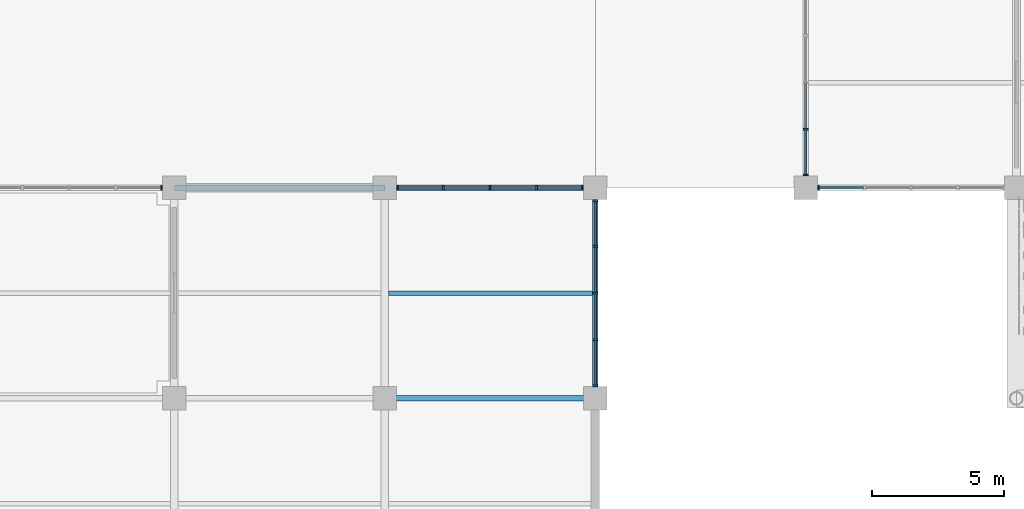
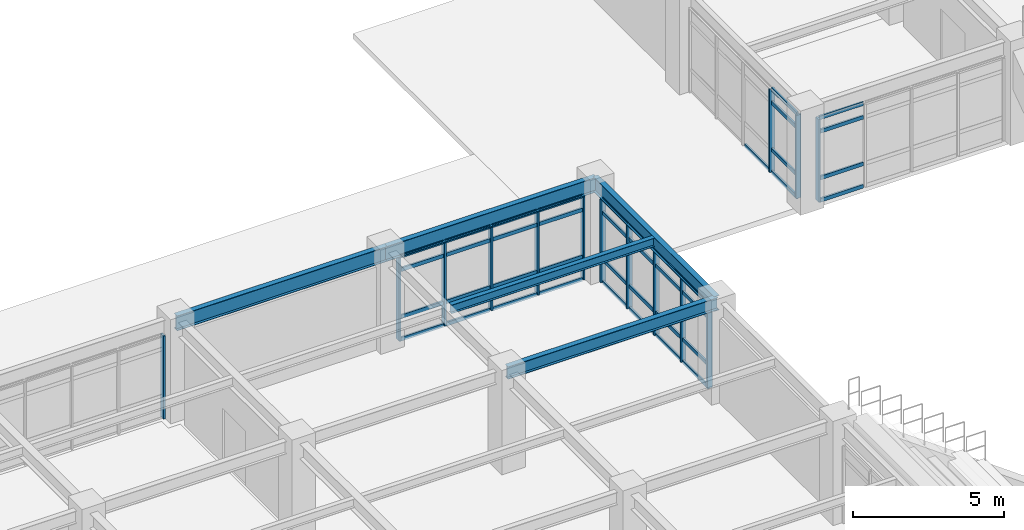
# One storey, part 52 of 118: 55 members, 5 beams, 5 elements without a shape of their own.
"""IFC4 building model written with IfcOpenShell, lengths in metres."""

from ifc_helpers import new_model, si_unit, direction, frame, origin, origin_2d, place, context, subcontext, project, spatial, rectangle, i_section, extrude, material, layer, layer_set, material_profile, profile_set, type_object, element, aggregate, save


model = new_model("IFC4")

# Units and contexts
model_context = context("Model", 3, precision=1e-05, world=origin(), true_north=direction((0.0, 1.0)))
body_context = subcontext(model_context, "Body", "Model", "MODEL_VIEW")
ifc_project = project(units=[si_unit("LENGTHUNIT", "METRE"), si_unit("AREAUNIT", "SQUARE_METRE"), si_unit("VOLUMEUNIT", "CUBIC_METRE"), si_unit("PLANEANGLEUNIT", "RADIAN"), si_unit("MASSUNIT", "GRAM", prefix="KILO")], contexts=[model_context])

# Site, building, storey
site_placement = place(None, origin())
site = spatial("IfcSite", under=ifc_project, at=site_placement, CompositionType="ELEMENT")
building_placement = place(site_placement, origin())
building = spatial("IfcBuilding", under=site, at=building_placement, Name="Haebicheon Civic Stadium", CompositionType="ELEMENT")
storey_placement = place(building_placement, frame((0.0, 0.0, 14.39990234375)))
storey = spatial("IfcBuildingStorey", under=building, at=storey_placement, Name="L04", CompositionType="ELEMENT", Elevation=14.39990234375)

# Beam
ifc_material_1 = material(Name="Steel SM355 (S355)", Category="steel")
ifc_material_profile_1 = material_profile(ifc_material_1, i_section(OverallWidth=0.199951171875, OverallDepth=0.5, WebThickness=0.010009765625, FlangeThickness=0.01611328125, at=origin_2d()), Name="H-500x200x10x16")
ifc_profile_set_1 = profile_set([ifc_material_profile_1], Name="Steel SM355 (S355)")
beam_type_1 = type_object("IfcBeamType", Name="BM-ST-H500", PredefinedType="BEAM", material=ifc_profile_set_1)
beam_1_placement = place(storey_placement, frame((56.0, 144.0, 3.72998046875), z_axis=(1.0, 0.0, 0.0), x_axis=(0.0, 1.0, 0.0)))
element("IfcBeam", 1, at=beam_1_placement, inside=storey, type_object=beam_type_1, material=ifc_profile_set_1, Name="L04 beam U/8-9", PredefinedType="BEAM", context=body_context, shape_type="SweptSolid", body=[
    extrude(i_section(OverallWidth=0.199951171875, OverallDepth=0.5, WebThickness=0.010009765625, FlangeThickness=0.01611328125, at=origin_2d()), origin(), (0.0, 0.0, 1.0), 8.0),
])

# Curtain wall, member
ifc_material_2 = material(Name="Anodised aluminium and laminated glass", Category="aluminium")
ifc_layer_1 = layer(ifc_material_2, 0.179931640625, Name="Anodised aluminium and laminated glass")
ifc_layer_set_1 = layer_set([ifc_layer_1], Name="Anodised aluminium and laminated glass")
curtain_wall_type_1 = type_object("IfcCurtainWallType", Name="CW-7100x3350", PredefinedType="NOTDEFINED", material=ifc_layer_set_1)
curtain_wall_1_placement = place(storey_placement, origin())
curtain_wall_1 = element("IfcCurtainWall", 2, at=curtain_wall_1_placement, inside=storey, type_object=curtain_wall_type_1, material=ifc_layer_set_1, Name="L04 unitised curtain wall 114", PredefinedType="NOTDEFINED")
ifc_material_3 = material(Name="Anodised aluminium 6063-T6", Category="aluminium")
ifc_material_profile_2 = material_profile(ifc_material_3, rectangle(XDim=0.070068359375, YDim=0.199951171875, at=origin_2d()), Name="ALU-MULL-70x200")
ifc_profile_set_2 = profile_set([ifc_material_profile_2], Name="Anodised aluminium 6063-T6")
member_type_1 = type_object("IfcMemberType", Name="CWM-200x70", PredefinedType="MULLION", material=ifc_profile_set_2)
member_1_placement = place(storey_placement, frame((47.514892578125, 152.0, 0.0), z_axis=(0.0, 0.0, 1.0), x_axis=(1.0, 0.0, 0.0)))
member_1 = element("IfcMember", 3, at=member_1_placement, type_object=member_type_1, material=ifc_profile_set_2, Name="CW-L04-114 vertical mullion 5", PredefinedType="MULLION", context=body_context, shape_type="SweptSolid", body=[
    extrude(rectangle(XDim=0.070068359375, YDim=0.199951171875, at=origin_2d()), origin(), (0.0, 0.0, 1.0), 3.35009765625),
])
aggregate(curtain_wall_1, [member_1])

# Curtain wall, members
curtain_wall_2_placement = place(storey_placement, origin())
curtain_wall_2 = element("IfcCurtainWall", 4, at=curtain_wall_2_placement, inside=storey, type_object=curtain_wall_type_1, material=ifc_layer_set_1, Name="L04 unitised curtain wall 123", PredefinedType="NOTDEFINED")
member_2_placement = place(storey_placement, frame((56.485107421875, 152.0, 0.0), z_axis=(0.0, 0.0, 1.0), x_axis=(1.0, 0.0, 0.0)))
member_2 = element("IfcMember", 5, at=member_2_placement, type_object=member_type_1, material=ifc_profile_set_2, Name="CW-L04-123 vertical mullion 1", PredefinedType="MULLION", context=body_context, shape_type="SweptSolid", body=[
    extrude(rectangle(XDim=0.070068359375, YDim=0.199951171875, at=origin_2d()), origin(), (0.0, 0.0, 1.0), 3.35009765625),
])
member_3_placement = place(storey_placement, frame((58.22509765625, 152.0, 0.0), z_axis=(0.0, 0.0, 1.0), x_axis=(1.0, 0.0, 0.0)))
member_3 = element("IfcMember", 6, at=member_3_placement, type_object=member_type_1, material=ifc_profile_set_2, Name="CW-L04-123 vertical mullion 2", PredefinedType="MULLION", context=body_context, shape_type="SweptSolid", body=[
    extrude(rectangle(XDim=0.070068359375, YDim=0.199951171875, at=origin_2d()), origin(), (0.0, 0.0, 1.0), 3.35009765625),
])
member_4_placement = place(storey_placement, frame((60.0, 152.0, 0.0), z_axis=(0.0, 0.0, 1.0), x_axis=(1.0, 0.0, 0.0)))
member_4 = element("IfcMember", 7, at=member_4_placement, type_object=member_type_1, material=ifc_profile_set_2, Name="CW-L04-123 vertical mullion 3", PredefinedType="MULLION", context=body_context, shape_type="SweptSolid", body=[
    extrude(rectangle(XDim=0.070068359375, YDim=0.199951171875, at=origin_2d()), origin(), (0.0, 0.0, 1.0), 3.35009765625),
])
member_5_placement = place(storey_placement, frame((61.77490234375, 152.0, 0.0), z_axis=(0.0, 0.0, 1.0), x_axis=(1.0, 0.0, 0.0)))
member_5 = element("IfcMember", 8, at=member_5_placement, type_object=member_type_1, material=ifc_profile_set_2, Name="CW-L04-123 vertical mullion 4", PredefinedType="MULLION", context=body_context, shape_type="SweptSolid", body=[
    extrude(rectangle(XDim=0.070068359375, YDim=0.199951171875, at=origin_2d()), origin(), (0.0, 0.0, 1.0), 3.35009765625),
])
member_6_placement = place(storey_placement, frame((63.514892578125, 152.0, 0.0), z_axis=(0.0, 0.0, 1.0), x_axis=(1.0, 0.0, 0.0)))
member_6 = element("IfcMember", 9, at=member_6_placement, type_object=member_type_1, material=ifc_profile_set_2, Name="CW-L04-123 vertical mullion 5", PredefinedType="MULLION", context=body_context, shape_type="SweptSolid", body=[
    extrude(rectangle(XDim=0.070068359375, YDim=0.199951171875, at=origin_2d()), origin(), (0.0, 0.0, 1.0), 3.35009765625),
])

curtain_wall_3_placement = place(storey_placement, origin())
curtain_wall_3 = element("IfcCurtainWall", 10, at=curtain_wall_3_placement, inside=storey, type_object=curtain_wall_type_1, material=ifc_layer_set_1, Name="L04 unitised curtain wall 124", PredefinedType="NOTDEFINED")
member_7_placement = place(storey_placement, frame((64.0, 144.485107421875, 0.0), z_axis=(0.0, 0.0, 1.0), x_axis=(0.0, 1.0, 0.0)))
member_7 = element("IfcMember", 11, at=member_7_placement, type_object=member_type_1, material=ifc_profile_set_2, Name="CW-L04-124 vertical mullion 1", PredefinedType="MULLION", context=body_context, shape_type="SweptSolid", body=[
    extrude(rectangle(XDim=0.070068359375, YDim=0.199951171875, at=origin_2d()), origin(), (0.0, 0.0, 1.0), 3.35009765625),
])
member_8_placement = place(storey_placement, frame((64.0, 146.22509765625, 0.0), z_axis=(0.0, 0.0, 1.0), x_axis=(0.0, 1.0, 0.0)))
member_8 = element("IfcMember", 12, at=member_8_placement, type_object=member_type_1, material=ifc_profile_set_2, Name="CW-L04-124 vertical mullion 2", PredefinedType="MULLION", context=body_context, shape_type="SweptSolid", body=[
    extrude(rectangle(XDim=0.070068359375, YDim=0.199951171875, at=origin_2d()), origin(), (0.0, 0.0, 1.0), 3.35009765625),
])
member_9_placement = place(storey_placement, frame((64.0, 148.0, 0.0), z_axis=(0.0, 0.0, 1.0), x_axis=(0.0, 1.0, 0.0)))
member_9 = element("IfcMember", 13, at=member_9_placement, type_object=member_type_1, material=ifc_profile_set_2, Name="CW-L04-124 vertical mullion 3", PredefinedType="MULLION", context=body_context, shape_type="SweptSolid", body=[
    extrude(rectangle(XDim=0.070068359375, YDim=0.199951171875, at=origin_2d()), origin(), (0.0, 0.0, 1.0), 3.35009765625),
])
member_10_placement = place(storey_placement, frame((64.0, 149.77490234375, 0.0), z_axis=(0.0, 0.0, 1.0), x_axis=(0.0, 1.0, 0.0)))
member_10 = element("IfcMember", 14, at=member_10_placement, type_object=member_type_1, material=ifc_profile_set_2, Name="CW-L04-124 vertical mullion 4", PredefinedType="MULLION", context=body_context, shape_type="SweptSolid", body=[
    extrude(rectangle(XDim=0.070068359375, YDim=0.199951171875, at=origin_2d()), origin(), (0.0, 0.0, 1.0), 3.35009765625),
])
member_11_placement = place(storey_placement, frame((64.0, 151.514892578125, 0.0), z_axis=(0.0, 0.0, 1.0), x_axis=(0.0, 1.0, 0.0)))
member_11 = element("IfcMember", 15, at=member_11_placement, type_object=member_type_1, material=ifc_profile_set_2, Name="CW-L04-124 vertical mullion 5", PredefinedType="MULLION", context=body_context, shape_type="SweptSolid", body=[
    extrude(rectangle(XDim=0.070068359375, YDim=0.199951171875, at=origin_2d()), origin(), (0.0, 0.0, 1.0), 3.35009765625),
])

# Curtain wall, member
ifc_material_4 = material(Name="Anodised aluminium and laminated glass", Category="aluminium")
ifc_layer_2 = layer(ifc_material_4, 0.179931640625, Name="Anodised aluminium and laminated glass")
ifc_layer_set_2 = layer_set([ifc_layer_2], Name="Anodised aluminium and laminated glass")
curtain_wall_type_2 = type_object("IfcCurtainWallType", Name="CW-7100x3330", PredefinedType="NOTDEFINED", material=ifc_layer_set_2)
curtain_wall_4_placement = place(storey_placement, origin())
curtain_wall_4 = element("IfcCurtainWall", 16, at=curtain_wall_4_placement, inside=storey, type_object=curtain_wall_type_2, material=ifc_layer_set_2, Name="L04 unitised curtain wall 126", PredefinedType="NOTDEFINED")
member_12_placement = place(storey_placement, frame((72.485107421875, 152.0, 0.0), z_axis=(0.0, 0.0, 1.0), x_axis=(1.0, 0.0, 0.0)))
member_12 = element("IfcMember", 17, at=member_12_placement, type_object=member_type_1, material=ifc_profile_set_2, Name="CW-L04-126 vertical mullion 1", PredefinedType="MULLION", context=body_context, shape_type="SweptSolid", body=[
    extrude(rectangle(XDim=0.070068359375, YDim=0.199951171875, at=origin_2d()), origin(), (0.0, 0.0, 1.0), 3.330078125),
])

# Curtain wall, members
curtain_wall_5_placement = place(storey_placement, origin())
curtain_wall_5 = element("IfcCurtainWall", 18, at=curtain_wall_5_placement, inside=storey, type_object=curtain_wall_type_1, material=ifc_layer_set_1, Name="L04 unitised curtain wall 127", PredefinedType="NOTDEFINED")
member_13_placement = place(storey_placement, frame((72.0, 152.485107421875, 0.0), z_axis=(0.0, 0.0, 1.0), x_axis=(0.0, 1.0, 0.0)))
member_13 = element("IfcMember", 19, at=member_13_placement, type_object=member_type_1, material=ifc_profile_set_2, Name="CW-L04-127 vertical mullion 1", PredefinedType="MULLION", context=body_context, shape_type="SweptSolid", body=[
    extrude(rectangle(XDim=0.070068359375, YDim=0.199951171875, at=origin_2d()), origin(), (0.0, 0.0, 1.0), 3.35009765625),
])
member_14_placement = place(storey_placement, frame((72.0, 154.22509765625, 0.0), z_axis=(0.0, 0.0, 1.0), x_axis=(0.0, 1.0, 0.0)))
member_14 = element("IfcMember", 20, at=member_14_placement, type_object=member_type_1, material=ifc_profile_set_2, Name="CW-L04-127 vertical mullion 2", PredefinedType="MULLION", context=body_context, shape_type="SweptSolid", body=[
    extrude(rectangle(XDim=0.070068359375, YDim=0.199951171875, at=origin_2d()), origin(), (0.0, 0.0, 1.0), 3.35009765625),
])

# Member
ifc_material_5 = material(Name="Anodised aluminium 6063-T6", Category="aluminium")
ifc_material_profile_3 = material_profile(ifc_material_5, rectangle(XDim=0.070068359375, YDim=0.14990234375, at=origin_2d()), Name="ALU-TRAN-70x150")
ifc_profile_set_3 = profile_set([ifc_material_profile_3], Name="Anodised aluminium 6063-T6")
member_type_2 = type_object("IfcMemberType", Name="CWT-150x70", PredefinedType="NOTDEFINED", material=ifc_profile_set_3)
member_15_placement = place(storey_placement, frame((56.52001953125, 152.0, 0.0), z_axis=(1.0, 0.0, 0.0), x_axis=(0.0, 1.0, 0.0)))
member_15 = element("IfcMember", 21, at=member_15_placement, type_object=member_type_2, material=ifc_profile_set_3, Name="CW-L04-123 horizontal transom 1.1", ObjectType="TRANSOM", PredefinedType="USERDEFINED", context=body_context, shape_type="SweptSolid", body=[
    extrude(rectangle(XDim=0.070068359375, YDim=0.14990234375, at=origin_2d()), origin(), (0.0, 0.0, 1.0), 1.669921875),
])

member_16_placement = place(storey_placement, frame((56.52001953125, 152.0, 0.900146484375), z_axis=(1.0, 0.0, 0.0), x_axis=(0.0, 1.0, 0.0)))
member_16 = element("IfcMember", 22, at=member_16_placement, type_object=member_type_2, material=ifc_profile_set_3, Name="CW-L04-123 horizontal transom 1.2", ObjectType="TRANSOM", PredefinedType="USERDEFINED", context=body_context, shape_type="SweptSolid", body=[
    extrude(rectangle(XDim=0.070068359375, YDim=0.14990234375, at=origin_2d()), origin(), (0.0, 0.0, 1.0), 1.669921875),
])

member_17_placement = place(storey_placement, frame((56.52001953125, 152.0, 2.800048828125), z_axis=(1.0, 0.0, 0.0), x_axis=(0.0, 1.0, 0.0)))
member_17 = element("IfcMember", 23, at=member_17_placement, type_object=member_type_2, material=ifc_profile_set_3, Name="CW-L04-123 horizontal transom 1.3", ObjectType="TRANSOM", PredefinedType="USERDEFINED", context=body_context, shape_type="SweptSolid", body=[
    extrude(rectangle(XDim=0.070068359375, YDim=0.14990234375, at=origin_2d()), origin(), (0.0, 0.0, 1.0), 1.669921875),
])

member_18_placement = place(storey_placement, frame((56.52001953125, 152.0, 3.35009765625), z_axis=(1.0, 0.0, 0.0), x_axis=(0.0, 1.0, 0.0)))
member_18 = element("IfcMember", 24, at=member_18_placement, type_object=member_type_2, material=ifc_profile_set_3, Name="CW-L04-123 horizontal transom 1.4", ObjectType="TRANSOM", PredefinedType="USERDEFINED", context=body_context, shape_type="SweptSolid", body=[
    extrude(rectangle(XDim=0.070068359375, YDim=0.14990234375, at=origin_2d()), origin(), (0.0, 0.0, 1.0), 1.669921875),
])

member_19_placement = place(storey_placement, frame((58.260009765625, 152.0, 0.0), z_axis=(1.0, 0.0, 0.0), x_axis=(0.0, 1.0, 0.0)))
member_19 = element("IfcMember", 25, at=member_19_placement, type_object=member_type_2, material=ifc_profile_set_3, Name="CW-L04-123 horizontal transom 2.1", ObjectType="TRANSOM", PredefinedType="USERDEFINED", context=body_context, shape_type="SweptSolid", body=[
    extrude(rectangle(XDim=0.070068359375, YDim=0.14990234375, at=origin_2d()), origin(), (0.0, 0.0, 1.0), 1.705078125),
])

member_20_placement = place(storey_placement, frame((58.260009765625, 152.0, 0.900146484375), z_axis=(1.0, 0.0, 0.0), x_axis=(0.0, 1.0, 0.0)))
member_20 = element("IfcMember", 26, at=member_20_placement, type_object=member_type_2, material=ifc_profile_set_3, Name="CW-L04-123 horizontal transom 2.2", ObjectType="TRANSOM", PredefinedType="USERDEFINED", context=body_context, shape_type="SweptSolid", body=[
    extrude(rectangle(XDim=0.070068359375, YDim=0.14990234375, at=origin_2d()), origin(), (0.0, 0.0, 1.0), 1.705078125),
])

member_21_placement = place(storey_placement, frame((58.260009765625, 152.0, 2.800048828125), z_axis=(1.0, 0.0, 0.0), x_axis=(0.0, 1.0, 0.0)))
member_21 = element("IfcMember", 27, at=member_21_placement, type_object=member_type_2, material=ifc_profile_set_3, Name="CW-L04-123 horizontal transom 2.3", ObjectType="TRANSOM", PredefinedType="USERDEFINED", context=body_context, shape_type="SweptSolid", body=[
    extrude(rectangle(XDim=0.070068359375, YDim=0.14990234375, at=origin_2d()), origin(), (0.0, 0.0, 1.0), 1.705078125),
])

member_22_placement = place(storey_placement, frame((58.260009765625, 152.0, 3.35009765625), z_axis=(1.0, 0.0, 0.0), x_axis=(0.0, 1.0, 0.0)))
member_22 = element("IfcMember", 28, at=member_22_placement, type_object=member_type_2, material=ifc_profile_set_3, Name="CW-L04-123 horizontal transom 2.4", ObjectType="TRANSOM", PredefinedType="USERDEFINED", context=body_context, shape_type="SweptSolid", body=[
    extrude(rectangle(XDim=0.070068359375, YDim=0.14990234375, at=origin_2d()), origin(), (0.0, 0.0, 1.0), 1.705078125),
])

member_23_placement = place(storey_placement, frame((60.034912109375, 152.0, 0.0), z_axis=(1.0, 0.0, 0.0), x_axis=(0.0, 1.0, 0.0)))
member_23 = element("IfcMember", 29, at=member_23_placement, type_object=member_type_2, material=ifc_profile_set_3, Name="CW-L04-123 horizontal transom 3.1", ObjectType="TRANSOM", PredefinedType="USERDEFINED", context=body_context, shape_type="SweptSolid", body=[
    extrude(rectangle(XDim=0.070068359375, YDim=0.14990234375, at=origin_2d()), origin(), (0.0, 0.0, 1.0), 1.705078125),
])

member_24_placement = place(storey_placement, frame((60.034912109375, 152.0, 0.900146484375), z_axis=(1.0, 0.0, 0.0), x_axis=(0.0, 1.0, 0.0)))
member_24 = element("IfcMember", 30, at=member_24_placement, type_object=member_type_2, material=ifc_profile_set_3, Name="CW-L04-123 horizontal transom 3.2", ObjectType="TRANSOM", PredefinedType="USERDEFINED", context=body_context, shape_type="SweptSolid", body=[
    extrude(rectangle(XDim=0.070068359375, YDim=0.14990234375, at=origin_2d()), origin(), (0.0, 0.0, 1.0), 1.705078125),
])

member_25_placement = place(storey_placement, frame((60.034912109375, 152.0, 2.800048828125), z_axis=(1.0, 0.0, 0.0), x_axis=(0.0, 1.0, 0.0)))
member_25 = element("IfcMember", 31, at=member_25_placement, type_object=member_type_2, material=ifc_profile_set_3, Name="CW-L04-123 horizontal transom 3.3", ObjectType="TRANSOM", PredefinedType="USERDEFINED", context=body_context, shape_type="SweptSolid", body=[
    extrude(rectangle(XDim=0.070068359375, YDim=0.14990234375, at=origin_2d()), origin(), (0.0, 0.0, 1.0), 1.705078125),
])

member_26_placement = place(storey_placement, frame((60.034912109375, 152.0, 3.35009765625), z_axis=(1.0, 0.0, 0.0), x_axis=(0.0, 1.0, 0.0)))
member_26 = element("IfcMember", 32, at=member_26_placement, type_object=member_type_2, material=ifc_profile_set_3, Name="CW-L04-123 horizontal transom 3.4", ObjectType="TRANSOM", PredefinedType="USERDEFINED", context=body_context, shape_type="SweptSolid", body=[
    extrude(rectangle(XDim=0.070068359375, YDim=0.14990234375, at=origin_2d()), origin(), (0.0, 0.0, 1.0), 1.705078125),
])

member_27_placement = place(storey_placement, frame((61.81005859375, 152.0, 0.0), z_axis=(1.0, 0.0, 0.0), x_axis=(0.0, 1.0, 0.0)))
member_27 = element("IfcMember", 33, at=member_27_placement, type_object=member_type_2, material=ifc_profile_set_3, Name="CW-L04-123 horizontal transom 4.1", ObjectType="TRANSOM", PredefinedType="USERDEFINED", context=body_context, shape_type="SweptSolid", body=[
    extrude(rectangle(XDim=0.070068359375, YDim=0.14990234375, at=origin_2d()), origin(), (0.0, 0.0, 1.0), 1.669921875),
])

member_28_placement = place(storey_placement, frame((61.81005859375, 152.0, 0.900146484375), z_axis=(1.0, 0.0, 0.0), x_axis=(0.0, 1.0, 0.0)))
member_28 = element("IfcMember", 34, at=member_28_placement, type_object=member_type_2, material=ifc_profile_set_3, Name="CW-L04-123 horizontal transom 4.2", ObjectType="TRANSOM", PredefinedType="USERDEFINED", context=body_context, shape_type="SweptSolid", body=[
    extrude(rectangle(XDim=0.070068359375, YDim=0.14990234375, at=origin_2d()), origin(), (0.0, 0.0, 1.0), 1.669921875),
])

member_29_placement = place(storey_placement, frame((61.81005859375, 152.0, 2.800048828125), z_axis=(1.0, 0.0, 0.0), x_axis=(0.0, 1.0, 0.0)))
member_29 = element("IfcMember", 35, at=member_29_placement, type_object=member_type_2, material=ifc_profile_set_3, Name="CW-L04-123 horizontal transom 4.3", ObjectType="TRANSOM", PredefinedType="USERDEFINED", context=body_context, shape_type="SweptSolid", body=[
    extrude(rectangle(XDim=0.070068359375, YDim=0.14990234375, at=origin_2d()), origin(), (0.0, 0.0, 1.0), 1.669921875),
])

member_30_placement = place(storey_placement, frame((61.81005859375, 152.0, 3.35009765625), z_axis=(1.0, 0.0, 0.0), x_axis=(0.0, 1.0, 0.0)))
member_30 = element("IfcMember", 36, at=member_30_placement, type_object=member_type_2, material=ifc_profile_set_3, Name="CW-L04-123 horizontal transom 4.4", ObjectType="TRANSOM", PredefinedType="USERDEFINED", context=body_context, shape_type="SweptSolid", body=[
    extrude(rectangle(XDim=0.070068359375, YDim=0.14990234375, at=origin_2d()), origin(), (0.0, 0.0, 1.0), 1.669921875),
])

aggregate(curtain_wall_2, [member_2, member_3, member_4, member_5, member_6, member_15, member_16, member_17, member_18, member_19, member_20, member_21, member_22, member_23, member_24, member_25, member_26, member_27, member_28, member_29, member_30])

member_31_placement = place(storey_placement, frame((64.0, 144.52001953125, 0.0), z_axis=(0.0, 1.0, 0.0), x_axis=(-1.0, 0.0, 0.0)))
member_31 = element("IfcMember", 37, at=member_31_placement, type_object=member_type_2, material=ifc_profile_set_3, Name="CW-L04-124 horizontal transom 1.1", ObjectType="TRANSOM", PredefinedType="USERDEFINED", context=body_context, shape_type="SweptSolid", body=[
    extrude(rectangle(XDim=0.070068359375, YDim=0.14990234375, at=origin_2d()), origin(), (0.0, 0.0, 1.0), 1.669921875),
])

member_32_placement = place(storey_placement, frame((64.0, 144.52001953125, 0.900146484375), z_axis=(0.0, 1.0, 0.0), x_axis=(-1.0, 0.0, 0.0)))
member_32 = element("IfcMember", 38, at=member_32_placement, type_object=member_type_2, material=ifc_profile_set_3, Name="CW-L04-124 horizontal transom 1.2", ObjectType="TRANSOM", PredefinedType="USERDEFINED", context=body_context, shape_type="SweptSolid", body=[
    extrude(rectangle(XDim=0.070068359375, YDim=0.14990234375, at=origin_2d()), origin(), (0.0, 0.0, 1.0), 1.669921875),
])

member_33_placement = place(storey_placement, frame((64.0, 144.52001953125, 2.800048828125), z_axis=(0.0, 1.0, 0.0), x_axis=(-1.0, 0.0, 0.0)))
member_33 = element("IfcMember", 39, at=member_33_placement, type_object=member_type_2, material=ifc_profile_set_3, Name="CW-L04-124 horizontal transom 1.3", ObjectType="TRANSOM", PredefinedType="USERDEFINED", context=body_context, shape_type="SweptSolid", body=[
    extrude(rectangle(XDim=0.070068359375, YDim=0.14990234375, at=origin_2d()), origin(), (0.0, 0.0, 1.0), 1.669921875),
])

member_34_placement = place(storey_placement, frame((64.0, 144.52001953125, 3.35009765625), z_axis=(0.0, 1.0, 0.0), x_axis=(-1.0, 0.0, 0.0)))
member_34 = element("IfcMember", 40, at=member_34_placement, type_object=member_type_2, material=ifc_profile_set_3, Name="CW-L04-124 horizontal transom 1.4", ObjectType="TRANSOM", PredefinedType="USERDEFINED", context=body_context, shape_type="SweptSolid", body=[
    extrude(rectangle(XDim=0.070068359375, YDim=0.14990234375, at=origin_2d()), origin(), (0.0, 0.0, 1.0), 1.669921875),
])

member_35_placement = place(storey_placement, frame((64.0, 146.260009765625, 0.0), z_axis=(0.0, 1.0, 0.0), x_axis=(-1.0, 0.0, 0.0)))
member_35 = element("IfcMember", 41, at=member_35_placement, type_object=member_type_2, material=ifc_profile_set_3, Name="CW-L04-124 horizontal transom 2.1", ObjectType="TRANSOM", PredefinedType="USERDEFINED", context=body_context, shape_type="SweptSolid", body=[
    extrude(rectangle(XDim=0.070068359375, YDim=0.14990234375, at=origin_2d()), origin(), (0.0, 0.0, 1.0), 1.705078125),
])

member_36_placement = place(storey_placement, frame((64.0, 146.260009765625, 0.900146484375), z_axis=(0.0, 1.0, 0.0), x_axis=(-1.0, 0.0, 0.0)))
member_36 = element("IfcMember", 42, at=member_36_placement, type_object=member_type_2, material=ifc_profile_set_3, Name="CW-L04-124 horizontal transom 2.2", ObjectType="TRANSOM", PredefinedType="USERDEFINED", context=body_context, shape_type="SweptSolid", body=[
    extrude(rectangle(XDim=0.070068359375, YDim=0.14990234375, at=origin_2d()), origin(), (0.0, 0.0, 1.0), 1.705078125),
])

member_37_placement = place(storey_placement, frame((64.0, 146.260009765625, 2.800048828125), z_axis=(0.0, 1.0, 0.0), x_axis=(-1.0, 0.0, 0.0)))
member_37 = element("IfcMember", 43, at=member_37_placement, type_object=member_type_2, material=ifc_profile_set_3, Name="CW-L04-124 horizontal transom 2.3", ObjectType="TRANSOM", PredefinedType="USERDEFINED", context=body_context, shape_type="SweptSolid", body=[
    extrude(rectangle(XDim=0.070068359375, YDim=0.14990234375, at=origin_2d()), origin(), (0.0, 0.0, 1.0), 1.705078125),
])

member_38_placement = place(storey_placement, frame((64.0, 146.260009765625, 3.35009765625), z_axis=(0.0, 1.0, 0.0), x_axis=(-1.0, 0.0, 0.0)))
member_38 = element("IfcMember", 44, at=member_38_placement, type_object=member_type_2, material=ifc_profile_set_3, Name="CW-L04-124 horizontal transom 2.4", ObjectType="TRANSOM", PredefinedType="USERDEFINED", context=body_context, shape_type="SweptSolid", body=[
    extrude(rectangle(XDim=0.070068359375, YDim=0.14990234375, at=origin_2d()), origin(), (0.0, 0.0, 1.0), 1.705078125),
])

member_39_placement = place(storey_placement, frame((64.0, 148.034912109375, 0.0), z_axis=(0.0, 1.0, 0.0), x_axis=(-1.0, 0.0, 0.0)))
member_39 = element("IfcMember", 45, at=member_39_placement, type_object=member_type_2, material=ifc_profile_set_3, Name="CW-L04-124 horizontal transom 3.1", ObjectType="TRANSOM", PredefinedType="USERDEFINED", context=body_context, shape_type="SweptSolid", body=[
    extrude(rectangle(XDim=0.070068359375, YDim=0.14990234375, at=origin_2d()), origin(), (0.0, 0.0, 1.0), 1.705078125),
])

member_40_placement = place(storey_placement, frame((64.0, 148.034912109375, 0.900146484375), z_axis=(0.0, 1.0, 0.0), x_axis=(-1.0, 0.0, 0.0)))
member_40 = element("IfcMember", 46, at=member_40_placement, type_object=member_type_2, material=ifc_profile_set_3, Name="CW-L04-124 horizontal transom 3.2", ObjectType="TRANSOM", PredefinedType="USERDEFINED", context=body_context, shape_type="SweptSolid", body=[
    extrude(rectangle(XDim=0.070068359375, YDim=0.14990234375, at=origin_2d()), origin(), (0.0, 0.0, 1.0), 1.705078125),
])

member_41_placement = place(storey_placement, frame((64.0, 148.034912109375, 2.800048828125), z_axis=(0.0, 1.0, 0.0), x_axis=(-1.0, 0.0, 0.0)))
member_41 = element("IfcMember", 47, at=member_41_placement, type_object=member_type_2, material=ifc_profile_set_3, Name="CW-L04-124 horizontal transom 3.3", ObjectType="TRANSOM", PredefinedType="USERDEFINED", context=body_context, shape_type="SweptSolid", body=[
    extrude(rectangle(XDim=0.070068359375, YDim=0.14990234375, at=origin_2d()), origin(), (0.0, 0.0, 1.0), 1.705078125),
])

member_42_placement = place(storey_placement, frame((64.0, 148.034912109375, 3.35009765625), z_axis=(0.0, 1.0, 0.0), x_axis=(-1.0, 0.0, 0.0)))
member_42 = element("IfcMember", 48, at=member_42_placement, type_object=member_type_2, material=ifc_profile_set_3, Name="CW-L04-124 horizontal transom 3.4", ObjectType="TRANSOM", PredefinedType="USERDEFINED", context=body_context, shape_type="SweptSolid", body=[
    extrude(rectangle(XDim=0.070068359375, YDim=0.14990234375, at=origin_2d()), origin(), (0.0, 0.0, 1.0), 1.705078125),
])

member_43_placement = place(storey_placement, frame((64.0, 149.81005859375, 0.0), z_axis=(0.0, 1.0, 0.0), x_axis=(-1.0, 0.0, 0.0)))
member_43 = element("IfcMember", 49, at=member_43_placement, type_object=member_type_2, material=ifc_profile_set_3, Name="CW-L04-124 horizontal transom 4.1", ObjectType="TRANSOM", PredefinedType="USERDEFINED", context=body_context, shape_type="SweptSolid", body=[
    extrude(rectangle(XDim=0.070068359375, YDim=0.14990234375, at=origin_2d()), origin(), (0.0, 0.0, 1.0), 1.669921875),
])

member_44_placement = place(storey_placement, frame((64.0, 149.81005859375, 0.900146484375), z_axis=(0.0, 1.0, 0.0), x_axis=(-1.0, 0.0, 0.0)))
member_44 = element("IfcMember", 50, at=member_44_placement, type_object=member_type_2, material=ifc_profile_set_3, Name="CW-L04-124 horizontal transom 4.2", ObjectType="TRANSOM", PredefinedType="USERDEFINED", context=body_context, shape_type="SweptSolid", body=[
    extrude(rectangle(XDim=0.070068359375, YDim=0.14990234375, at=origin_2d()), origin(), (0.0, 0.0, 1.0), 1.669921875),
])

member_45_placement = place(storey_placement, frame((64.0, 149.81005859375, 2.800048828125), z_axis=(0.0, 1.0, 0.0), x_axis=(-1.0, 0.0, 0.0)))
member_45 = element("IfcMember", 51, at=member_45_placement, type_object=member_type_2, material=ifc_profile_set_3, Name="CW-L04-124 horizontal transom 4.3", ObjectType="TRANSOM", PredefinedType="USERDEFINED", context=body_context, shape_type="SweptSolid", body=[
    extrude(rectangle(XDim=0.070068359375, YDim=0.14990234375, at=origin_2d()), origin(), (0.0, 0.0, 1.0), 1.669921875),
])

member_46_placement = place(storey_placement, frame((64.0, 149.81005859375, 3.35009765625), z_axis=(0.0, 1.0, 0.0), x_axis=(-1.0, 0.0, 0.0)))
member_46 = element("IfcMember", 52, at=member_46_placement, type_object=member_type_2, material=ifc_profile_set_3, Name="CW-L04-124 horizontal transom 4.4", ObjectType="TRANSOM", PredefinedType="USERDEFINED", context=body_context, shape_type="SweptSolid", body=[
    extrude(rectangle(XDim=0.070068359375, YDim=0.14990234375, at=origin_2d()), origin(), (0.0, 0.0, 1.0), 1.669921875),
])

aggregate(curtain_wall_3, [member_7, member_8, member_9, member_10, member_11, member_31, member_32, member_33, member_34, member_35, member_36, member_37, member_38, member_39, member_40, member_41, member_42, member_43, member_44, member_45, member_46])

member_47_placement = place(storey_placement, frame((72.52001953125, 152.0, 0.0), z_axis=(1.0, 0.0, 0.0), x_axis=(0.0, 1.0, 0.0)))
member_47 = element("IfcMember", 53, at=member_47_placement, type_object=member_type_2, material=ifc_profile_set_3, Name="CW-L04-126 horizontal transom 1.1", ObjectType="TRANSOM", PredefinedType="USERDEFINED", context=body_context, shape_type="SweptSolid", body=[
    extrude(rectangle(XDim=0.070068359375, YDim=0.14990234375, at=origin_2d()), origin(), (0.0, 0.0, 1.0), 1.669921875),
])

member_48_placement = place(storey_placement, frame((72.52001953125, 152.0, 0.900146484375), z_axis=(1.0, 0.0, 0.0), x_axis=(0.0, 1.0, 0.0)))
member_48 = element("IfcMember", 54, at=member_48_placement, type_object=member_type_2, material=ifc_profile_set_3, Name="CW-L04-126 horizontal transom 1.2", ObjectType="TRANSOM", PredefinedType="USERDEFINED", context=body_context, shape_type="SweptSolid", body=[
    extrude(rectangle(XDim=0.070068359375, YDim=0.14990234375, at=origin_2d()), origin(), (0.0, 0.0, 1.0), 1.669921875),
])

member_49_placement = place(storey_placement, frame((72.52001953125, 152.0, 2.780029296875), z_axis=(1.0, 0.0, 0.0), x_axis=(0.0, 1.0, 0.0)))
member_49 = element("IfcMember", 55, at=member_49_placement, type_object=member_type_2, material=ifc_profile_set_3, Name="CW-L04-126 horizontal transom 1.3", ObjectType="TRANSOM", PredefinedType="USERDEFINED", context=body_context, shape_type="SweptSolid", body=[
    extrude(rectangle(XDim=0.070068359375, YDim=0.14990234375, at=origin_2d()), origin(), (0.0, 0.0, 1.0), 1.669921875),
])

member_50_placement = place(storey_placement, frame((72.52001953125, 152.0, 3.330078125), z_axis=(1.0, 0.0, 0.0), x_axis=(0.0, 1.0, 0.0)))
member_50 = element("IfcMember", 56, at=member_50_placement, type_object=member_type_2, material=ifc_profile_set_3, Name="CW-L04-126 horizontal transom 1.4", ObjectType="TRANSOM", PredefinedType="USERDEFINED", context=body_context, shape_type="SweptSolid", body=[
    extrude(rectangle(XDim=0.070068359375, YDim=0.14990234375, at=origin_2d()), origin(), (0.0, 0.0, 1.0), 1.669921875),
])

aggregate(curtain_wall_4, [member_12, member_47, member_48, member_49, member_50])

member_51_placement = place(storey_placement, frame((72.0, 152.52001953125, 0.0), z_axis=(0.0, 1.0, 0.0), x_axis=(-1.0, 0.0, 0.0)))
member_51 = element("IfcMember", 57, at=member_51_placement, type_object=member_type_2, material=ifc_profile_set_3, Name="CW-L04-127 horizontal transom 1.1", ObjectType="TRANSOM", PredefinedType="USERDEFINED", context=body_context, shape_type="SweptSolid", body=[
    extrude(rectangle(XDim=0.070068359375, YDim=0.14990234375, at=origin_2d()), origin(), (0.0, 0.0, 1.0), 1.669921875),
])

member_52_placement = place(storey_placement, frame((72.0, 152.52001953125, 0.900146484375), z_axis=(0.0, 1.0, 0.0), x_axis=(-1.0, 0.0, 0.0)))
member_52 = element("IfcMember", 58, at=member_52_placement, type_object=member_type_2, material=ifc_profile_set_3, Name="CW-L04-127 horizontal transom 1.2", ObjectType="TRANSOM", PredefinedType="USERDEFINED", context=body_context, shape_type="SweptSolid", body=[
    extrude(rectangle(XDim=0.070068359375, YDim=0.14990234375, at=origin_2d()), origin(), (0.0, 0.0, 1.0), 1.669921875),
])

member_53_placement = place(storey_placement, frame((72.0, 152.52001953125, 2.800048828125), z_axis=(0.0, 1.0, 0.0), x_axis=(-1.0, 0.0, 0.0)))
member_53 = element("IfcMember", 59, at=member_53_placement, type_object=member_type_2, material=ifc_profile_set_3, Name="CW-L04-127 horizontal transom 1.3", ObjectType="TRANSOM", PredefinedType="USERDEFINED", context=body_context, shape_type="SweptSolid", body=[
    extrude(rectangle(XDim=0.070068359375, YDim=0.14990234375, at=origin_2d()), origin(), (0.0, 0.0, 1.0), 1.669921875),
])

member_54_placement = place(storey_placement, frame((72.0, 152.52001953125, 3.35009765625), z_axis=(0.0, 1.0, 0.0), x_axis=(-1.0, 0.0, 0.0)))
member_54 = element("IfcMember", 60, at=member_54_placement, type_object=member_type_2, material=ifc_profile_set_3, Name="CW-L04-127 horizontal transom 1.4", ObjectType="TRANSOM", PredefinedType="USERDEFINED", context=body_context, shape_type="SweptSolid", body=[
    extrude(rectangle(XDim=0.070068359375, YDim=0.14990234375, at=origin_2d()), origin(), (0.0, 0.0, 1.0), 1.669921875),
])

member_55_placement = place(storey_placement, frame((72.0, 154.260009765625, 0.0), z_axis=(0.0, 1.0, 0.0), x_axis=(-1.0, 0.0, 0.0)))
member_55 = element("IfcMember", 61, at=member_55_placement, type_object=member_type_2, material=ifc_profile_set_3, Name="CW-L04-127 horizontal transom 2.1", ObjectType="TRANSOM", PredefinedType="USERDEFINED", context=body_context, shape_type="SweptSolid", body=[
    extrude(rectangle(XDim=0.070068359375, YDim=0.14990234375, at=origin_2d()), origin(), (0.0, 0.0, 1.0), 1.705078125),
])

aggregate(curtain_wall_5, [member_13, member_14, member_51, member_52, member_53, member_54, member_55])

# Beams
ifc_material_6 = material(Name="Steel SM355 (S355)", Category="steel")
ifc_material_profile_4 = material_profile(ifc_material_6, i_section(OverallWidth=0.175048828125, OverallDepth=0.35009765625, WebThickness=0.007080078125, FlangeThickness=0.010986328125, at=origin_2d()), Name="H-350x175x7x11")
ifc_profile_set_4 = profile_set([ifc_material_profile_4], Name="Steel SM355 (S355)")
beam_type_2 = type_object("IfcBeamType", Name="JST-ST-H350", PredefinedType="JOIST", material=ifc_profile_set_4)
beam_2_placement = place(storey_placement, frame((56.14990234375, 148.0, 3.80517578125), z_axis=(1.0, 0.0, 0.0), x_axis=(0.0, 1.0, 0.0)))
element("IfcBeam", 62, at=beam_2_placement, inside=storey, type_object=beam_type_2, material=ifc_profile_set_4, Name="L04 secondary joist 07-18", PredefinedType="JOIST", context=body_context, shape_type="SweptSolid", body=[
    extrude(i_section(OverallWidth=0.175048828125, OverallDepth=0.35009765625, WebThickness=0.007080078125, FlangeThickness=0.010986328125, at=origin_2d()), origin(), (0.0, 0.0, 1.0), 7.75),
])
ifc_material_7 = material(Name="Steel SM355 (S355)", Category="steel")
ifc_material_profile_5 = material_profile(ifc_material_7, i_section(OverallWidth=0.199951171875, OverallDepth=0.60009765625, WebThickness=0.010986328125, FlangeThickness=0.01708984375, at=origin_2d()), Name="H-600x200x11x17")
ifc_profile_set_5 = profile_set([ifc_material_profile_5], Name="Steel SM355 (S355)")
beam_type_3 = type_object("IfcBeamType", Name="SPD-ST-H600B", PredefinedType="SPANDREL", material=ifc_profile_set_5)
for number, where, z_axis, x_axis, name in (
    (63, (64.0, 144.0, 3.68017578125), (0.0, 1.0, 0.0), (-1.0, 0.0, 0.0), "L04 girder 9/U-V"),
    (64, (48.0, 152.0, 3.68017578125), (1.0, 0.0, 0.0), (0.0, 1.0, 0.0), "L04 beam V/7-8"),
    (65, (56.0, 152.0, 3.68017578125), (1.0, 0.0, 0.0), (0.0, 1.0, 0.0), "L04 beam V/8-9"),
):
    element("IfcBeam", number, at=place(storey_placement, frame(where, z_axis=z_axis, x_axis=x_axis)), inside=storey, type_object=beam_type_3, material=ifc_profile_set_5, Name=name, PredefinedType="SPANDREL", context=body_context, shape_type="SweptSolid", body=[
        extrude(i_section(OverallWidth=0.199951171875, OverallDepth=0.60009765625, WebThickness=0.010986328125, FlangeThickness=0.01708984375, at=origin_2d()), origin(), (0.0, 0.0, 1.0), 8.0),
    ])

save(model, "model.ifc")
